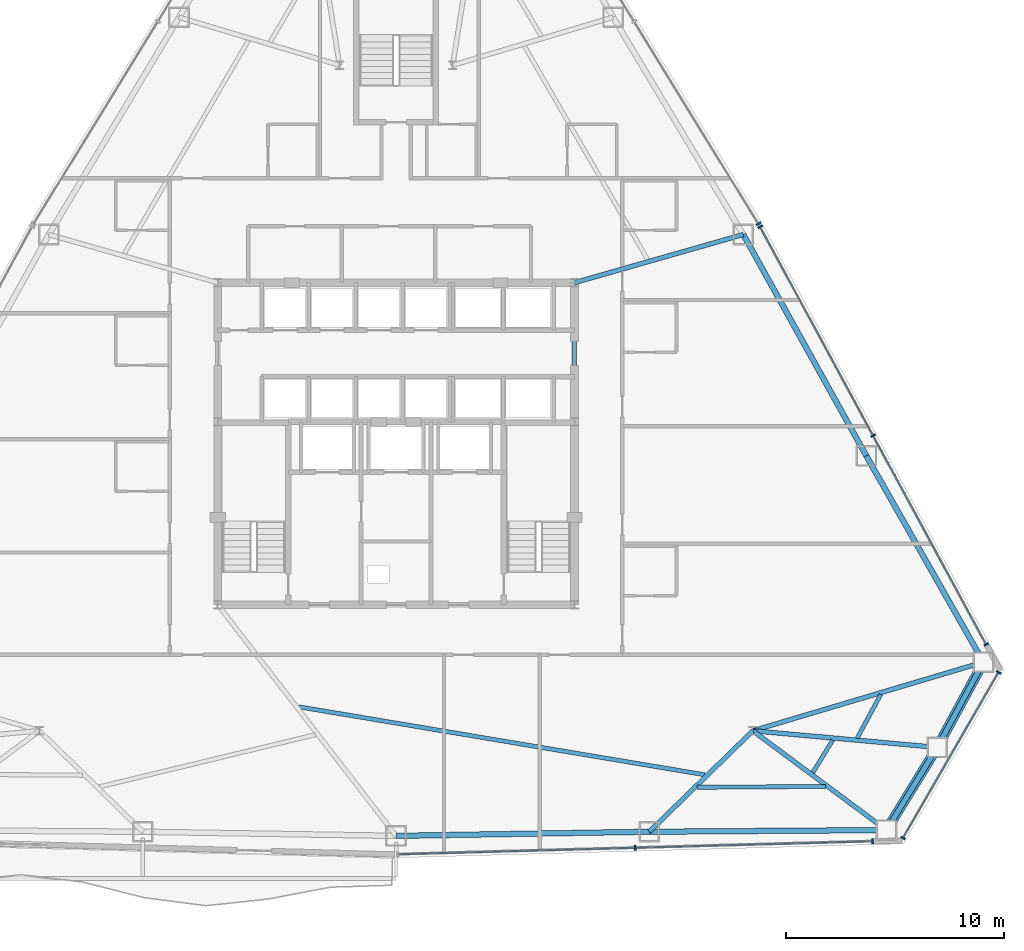
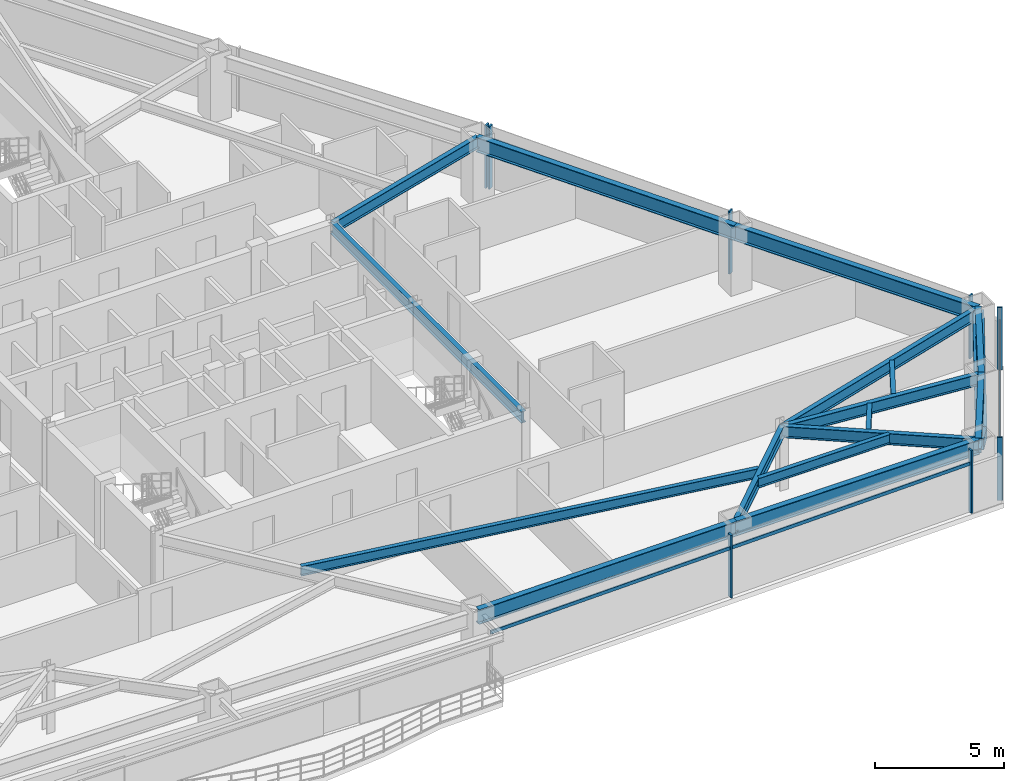
# One storey, part 6 of 13: 16 beams, 13 members, 4 elements without a shape of their own.
"""IFC4 building model written with IfcOpenShell, lengths in metres."""

from ifc_helpers import new_model, si_unit, direction, frame, origin, origin_2d, place, context, subcontext, project, spatial, rectangle, hollow_rectangle, i_section, extrude, source, transform, mapped, material, layer, layer_set, material_profile, profile_set, type_object, type_shapes, element, aggregate, save


model = new_model("IFC4")

# Units and contexts
model_context = context("Model", 3, precision=1e-05, world=origin(), true_north=direction((0.0, 1.0)))
body_context = subcontext(model_context, "Body", "Model", "MODEL_VIEW")
ifc_project = project(units=[si_unit("LENGTHUNIT", "METRE"), si_unit("AREAUNIT", "SQUARE_METRE"), si_unit("VOLUMEUNIT", "CUBIC_METRE"), si_unit("PLANEANGLEUNIT", "RADIAN"), si_unit("MASSUNIT", "GRAM", prefix="KILO")], contexts=[model_context])

# Site, building, storey
site_placement = place(None, origin())
site = spatial("IfcSite", under=ifc_project, at=site_placement, CompositionType="ELEMENT")
building_placement = place(site_placement, origin())
building = spatial("IfcBuilding", under=site, at=building_placement, Name="Varakhsha Concourse Tower", CompositionType="ELEMENT")
storey_placement = place(building_placement, frame((0.0, 0.0, 102.199951171875)))
storey = spatial("IfcBuildingStorey", under=building, at=storey_placement, Name="L29", CompositionType="ELEMENT", Elevation=102.199951171875)

# Beams
ifc_material_1 = material(Name="Structural Steel ASTM A992 Grade 50", Category="steel")
ifc_material_profile_1 = material_profile(ifc_material_1, i_section(OverallWidth=0.19091796875, OverallDepth=0.45703125, WebThickness=0.009033203125, FlangeThickness=0.013916015625, at=origin_2d()), Name="W18X50")
ifc_profile_set_1 = profile_set([ifc_material_profile_1], Name="Structural Steel ASTM A992 Grade 50")
beam_type_1 = type_object("IfcBeamType", Name="BM-JST-W18X50", PredefinedType="JOIST", material=ifc_profile_set_1)
beam_1_placement = place(storey_placement, frame((35.5166015625, 11.7041015625, 2.741455078125), z_axis=(0.986266830469, -0.165159738181, 0.0), x_axis=(0.165159738181, 0.986266830469, 0.0)))
element("IfcBeam", 1, at=beam_1_placement, inside=storey, type_object=beam_type_1, Name="BM-TJST-L29-11", PredefinedType="JOIST", context=body_context, shape_type="SweptSolid", body=[
    extrude(i_section(OverallWidth=0.19091796875, OverallDepth=0.45703125, WebThickness=0.009033203125, FlangeThickness=0.013916015625, at=origin_2d()), origin(), (0.0, 0.0, 1.0), 18.941650390625),
])
beam_2_placement = place(storey_placement, frame((53.845947265625, 8.00146484375, 2.741455078125), z_axis=(0.999975430006, 0.007009948883, 0.0), x_axis=(-0.007009948883, 0.999975430006, 0.0)))
element("IfcBeam", 2, at=beam_2_placement, inside=storey, type_object=beam_type_1, Name="BM-TJST-L29-12", PredefinedType="JOIST", context=body_context, shape_type="SweptSolid", body=[
    extrude(i_section(OverallWidth=0.19091796875, OverallDepth=0.45703125, WebThickness=0.009033203125, FlangeThickness=0.013916015625, at=origin_2d()), origin(), (0.0, 0.0, 1.0), 5.885986328125),
])
beam_3_placement = place(storey_placement, frame((59.161865234375, 8.68505859375, 2.741455078125), z_axis=(0.523041666025, 0.852307113429, 0.0), x_axis=(-0.852307113429, 0.523041666025, 0.0)))
element("IfcBeam", 3, at=beam_3_placement, inside=storey, type_object=beam_type_1, Name="BM-TJST-L29-13", PredefinedType="JOIST", context=body_context, shape_type="SweptSolid", body=[
    extrude(i_section(OverallWidth=0.19091796875, OverallDepth=0.45703125, WebThickness=0.009033203125, FlangeThickness=0.013916015625, at=origin_2d()), origin(), (0.0, 0.0, 1.0), 1.742431640625),
])
beam_4_placement = place(storey_placement, frame((61.20068359375, 10.268798828125, 2.741455078125), z_axis=(0.476469609204, 0.879190941437, 0.0), x_axis=(-0.879190941437, 0.476469609204, 0.0)))
element("IfcBeam", 4, at=beam_4_placement, inside=storey, type_object=beam_type_1, Name="BM-TJST-L29-14", PredefinedType="JOIST", context=body_context, shape_type="SweptSolid", body=[
    extrude(i_section(OverallWidth=0.19091796875, OverallDepth=0.45703125, WebThickness=0.009033203125, FlangeThickness=0.013916015625, at=origin_2d()), origin(), (0.0, 0.0, 1.0), 2.277587890625),
])
ifc_material_profile_2 = material_profile(ifc_material_1, i_section(OverallWidth=0.2109375, OverallDepth=0.5390625, WebThickness=0.011962890625, FlangeThickness=0.01904296875, at=origin_2d()), Name="W21X73")
ifc_profile_set_2 = profile_set([ifc_material_profile_2], Name="Structural Steel ASTM A992 Grade 50")
beam_type_2 = type_object("IfcBeamType", Name="BM-RAD-W21X73", PredefinedType="BEAM", material=ifc_profile_set_2)
beam_5_placement = place(storey_placement, frame((48.199951171875, 16.39990234375, 2.700439453125), z_axis=(0.0, 1.0, 0.0), x_axis=(-1.0, 0.0, 0.0)))
element("IfcBeam", 5, at=beam_5_placement, inside=storey, type_object=beam_type_2, Name="BM-TCORE-L29-CE", PredefinedType="BEAM", context=body_context, shape_type="SweptSolid", body=[
    extrude(i_section(OverallWidth=0.2109375, OverallDepth=0.5390625, WebThickness=0.011962890625, FlangeThickness=0.01904296875, at=origin_2d()), origin(), (0.0, 0.0, 1.0), 14.800048828125),
])
beam_6_placement = place(storey_placement, frame((56.39990234375, 10.60009765625, 2.700439453125), z_axis=(-0.715722386473, -0.698384897819, 0.0), x_axis=(0.698384897819, -0.715722386473, 0.0)))
element("IfcBeam", 6, at=beam_6_placement, inside=storey, type_object=beam_type_2, Name="L29 Radial Floor Girder 12", PredefinedType="BEAM", context=body_context, shape_type="SweptSolid", body=[
    extrude(i_section(OverallWidth=0.2109375, OverallDepth=0.5390625, WebThickness=0.011962890625, FlangeThickness=0.01904296875, at=origin_2d()), origin(), (0.0, 0.0, 1.0), 6.646484375),
])
beam_7_placement = place(storey_placement, frame((56.39990234375, 10.60009765625, 2.700439453125), z_axis=(0.802769579704, -0.596289360883, 0.0), x_axis=(0.596289360883, 0.802769579704, 0.0)))
element("IfcBeam", 7, at=beam_7_placement, inside=storey, type_object=beam_type_2, Name="L29 Radial Floor Girder 13", PredefinedType="BEAM", context=body_context, shape_type="SweptSolid", body=[
    extrude(i_section(OverallWidth=0.2109375, OverallDepth=0.5390625, WebThickness=0.011962890625, FlangeThickness=0.01904296875, at=origin_2d()), origin(), (0.0, 0.0, 1.0), 7.656005859375),
])
beam_8_placement = place(storey_placement, frame((56.39990234375, 10.60009765625, 2.700439453125), z_axis=(0.995965985667, -0.089731574119, 0.0), x_axis=(0.089731574119, 0.995965985667, 0.0)))
element("IfcBeam", 8, at=beam_8_placement, inside=storey, type_object=beam_type_2, Name="L29 Radial Floor Girder 14", PredefinedType="BEAM", context=body_context, shape_type="SweptSolid", body=[
    extrude(i_section(OverallWidth=0.2109375, OverallDepth=0.5390625, WebThickness=0.011962890625, FlangeThickness=0.01904296875, at=origin_2d()), origin(), (0.0, 0.0, 1.0), 8.513427734375),
])
beam_9_placement = place(storey_placement, frame((56.39990234375, 10.60009765625, 2.700439453125), z_axis=(0.958430242981, 0.285326951653, 0.0), x_axis=(-0.285326951653, 0.958430242981, 0.0)))
element("IfcBeam", 9, at=beam_9_placement, inside=storey, type_object=beam_type_2, Name="L29 Radial Floor Girder 15", PredefinedType="BEAM", context=body_context, shape_type="SweptSolid", body=[
    extrude(i_section(OverallWidth=0.2109375, OverallDepth=0.5390625, WebThickness=0.011962890625, FlangeThickness=0.01904296875, at=origin_2d()), origin(), (0.0, 0.0, 1.0), 11.064453125),
])
beam_10_placement = place(storey_placement, frame((48.199951171875, 31.199951171875, 2.700439453125), z_axis=(0.961591259635, 0.27448542656, 0.0), x_axis=(-0.27448542656, 0.961591259635, 0.0)))
element("IfcBeam", 10, at=beam_10_placement, inside=storey, type_object=beam_type_2, Name="L29 Radial Floor Girder 17", PredefinedType="BEAM", context=body_context, shape_type="SweptSolid", body=[
    extrude(i_section(OverallWidth=0.2109375, OverallDepth=0.5390625, WebThickness=0.011962890625, FlangeThickness=0.01904296875, at=origin_2d()), origin(), (0.0, 0.0, 1.0), 8.07177734375),
])
ifc_material_profile_3 = material_profile(ifc_material_1, i_section(OverallWidth=0.25390625, OverallDepth=0.701904296875, WebThickness=0.014892578125, FlangeThickness=0.028076171875, at=origin_2d()), Name="W27X129")
ifc_profile_set_3 = profile_set([ifc_material_profile_3], Name="Structural Steel ASTM A992 Grade 50")
beam_type_3 = type_object("IfcBeamType", Name="BM-SPAN-W27X129", PredefinedType="SPANDREL", material=ifc_profile_set_3)
beam_11_placement = place(storey_placement, frame((40.0, 5.76904296875, 2.619140625), z_axis=(0.999867976584, 0.016248981565, 0.0), x_axis=(-0.016248981565, 0.999867976584, 0.0)))
element("IfcBeam", 11, at=beam_11_placement, inside=storey, type_object=beam_type_3, Name="BM-SPAN-L29-11", PredefinedType="SPANDREL", context=body_context, shape_type="SweptSolid", body=[
    extrude(i_section(OverallWidth=0.25390625, OverallDepth=0.701904296875, WebThickness=0.014892578125, FlangeThickness=0.028076171875, at=origin_2d()), origin(), (0.0, 0.0, 1.0), 11.644287109375),
])
beam_12_placement = place(storey_placement, frame((51.642822265625, 5.958251953125, 2.619140625), z_axis=(0.999975283031, 0.007030883783, 0.0), x_axis=(-0.007030883783, 0.999975283031, 0.0)))
element("IfcBeam", 12, at=beam_12_placement, inside=storey, type_object=beam_type_3, Name="BM-SPAN-L29-12", PredefinedType="SPANDREL", context=body_context, shape_type="SweptSolid", body=[
    extrude(i_section(OverallWidth=0.25390625, OverallDepth=0.701904296875, WebThickness=0.014892578125, FlangeThickness=0.028076171875, at=origin_2d()), origin(), (0.0, 0.0, 1.0), 10.9033203125),
])
beam_13_placement = place(storey_placement, frame((62.5458984375, 6.034912109375, 2.619140625), z_axis=(0.523083096004, 0.852281687399, 0.0), x_axis=(-0.852281687399, 0.523083096004, 0.0)))
element("IfcBeam", 13, at=beam_13_placement, inside=storey, type_object=beam_type_3, Name="BM-SPAN-L29-13", PredefinedType="SPANDREL", context=body_context, shape_type="SweptSolid", body=[
    extrude(i_section(OverallWidth=0.25390625, OverallDepth=0.701904296875, WebThickness=0.014892578125, FlangeThickness=0.028076171875, at=origin_2d()), origin(), (0.0, 0.0, 1.0), 4.460205078125),
])
beam_14_placement = place(storey_placement, frame((64.87890625, 9.836181640625, 2.619140625), z_axis=(0.476572329896, 0.87913526512, 0.0), x_axis=(-0.87913526512, 0.476572329896, 0.0)))
element("IfcBeam", 14, at=beam_14_placement, inside=storey, type_object=beam_type_3, Name="BM-SPAN-L29-14", PredefinedType="SPANDREL", context=body_context, shape_type="SweptSolid", body=[
    extrude(i_section(OverallWidth=0.25390625, OverallDepth=0.701904296875, WebThickness=0.014892578125, FlangeThickness=0.028076171875, at=origin_2d()), origin(), (0.0, 0.0, 1.0), 4.4599609375),
])
beam_15_placement = place(storey_placement, frame((67.00439453125, 13.757080078125, 2.619140625), z_axis=(-0.49387783637, 0.869531300611, 0.0), x_axis=(-0.869531300611, -0.49387783637, 0.0)))
element("IfcBeam", 15, at=beam_15_placement, inside=storey, type_object=beam_type_3, Name="BM-SPAN-L29-15", PredefinedType="SPANDREL", context=body_context, shape_type="SweptSolid", body=[
    extrude(i_section(OverallWidth=0.25390625, OverallDepth=0.701904296875, WebThickness=0.014892578125, FlangeThickness=0.028076171875, at=origin_2d()), origin(), (0.0, 0.0, 1.0), 10.903564453125),
])
beam_16_placement = place(storey_placement, frame((61.619384765625, 23.238037109375, 2.619140625), z_axis=(-0.485876116014, 0.874027688284, 0.0), x_axis=(-0.874027688284, -0.485876116014, 0.0)))
element("IfcBeam", 16, at=beam_16_placement, inside=storey, type_object=beam_type_3, Name="BM-SPAN-L29-16", PredefinedType="SPANDREL", context=body_context, shape_type="SweptSolid", body=[
    extrude(i_section(OverallWidth=0.25390625, OverallDepth=0.701904296875, WebThickness=0.014892578125, FlangeThickness=0.028076171875, at=origin_2d()), origin(), (0.0, 0.0, 1.0), 11.644287109375),
])

# Members
ifc_material_2 = material(Name="Structural Steel ASTM A500 Grade C", Category="steel")
ifc_material_profile_4 = material_profile(ifc_material_2, hollow_rectangle(XDim=0.449951171875, YDim=0.449951171875, WallThickness=0.01904296875, at=origin_2d()), Name="HSS 450x450x19")
ifc_profile_set_4 = profile_set([ifc_material_profile_4], Name="Structural Steel ASTM A500 Grade C")
member_type_1 = type_object("IfcMemberType", Name="MB-TUBE-HSS450", PredefinedType="BRACE", material=ifc_profile_set_4)
shared_shape_1 = source(origin(), body_context, "Body", "SweptSolid", [
    extrude(hollow_rectangle(XDim=0.449951171875, YDim=0.449951171875, WallThickness=0.01904296875, at=origin_2d()), origin(), (0.0, 0.0, 1.0), 5.1376953125),
])
member_1_placement = place(storey_placement, frame((64.87890625, 9.836181640625, 0.1201171875), z_axis=(-0.454101242407, -0.739886599443, 0.496346533794), x_axis=(0.852281687399, -0.523083096004, 0.0)))
element("IfcMember", 17, at=member_1_placement, inside=storey, type_object=member_type_1, Name="L29 Wind-Corner Tube Brace B05", PredefinedType="BRACE", context=body_context, shape_type="MappedRepresentation", body=[
    mapped(shared_shape_1, transform((0.0, 0.0, 0.0), scale=1.0)),
])
shared_shape_2 = source(origin(), body_context, "Body", "SweptSolid", [
    extrude(hollow_rectangle(XDim=0.449951171875, YDim=0.449951171875, WallThickness=0.01904296875, at=origin_2d()), origin(), (0.0, 0.0, 1.0), 5.137451171875),
])
type_shapes(member_type_1, [shared_shape_1, shared_shape_2])
member_2_placement = place(storey_placement, frame((64.87890625, 9.836181640625, 0.1201171875), z_axis=(0.413720442593, 0.763192086841, 0.49635998425), x_axis=(-0.87913526512, 0.476572329896, 0.0)))
element("IfcMember", 18, at=member_2_placement, inside=storey, type_object=member_type_1, Name="L29 Wind-Corner Tube Brace B06", PredefinedType="BRACE", context=body_context, shape_type="MappedRepresentation", body=[
    mapped(shared_shape_2, transform((0.0, 0.0, 0.0), scale=1.0)),
])

# Curtain wall, members
ifc_material_3 = material(Name="Anodised Bronze Architectural Aluminium AA 6063-T6", Category="aluminium")
ifc_layer = layer(ifc_material_3, 0.199951171875, Name="CW-SYS-03")
ifc_layer_set = layer_set([ifc_layer], Name="Anodised Bronze Architectural Aluminium AA 6063-T6")
curtain_wall_type = type_object("IfcCurtainWallType", Name="CW-SYS-03", PredefinedType="NOTDEFINED", material=ifc_layer_set)
curtain_wall_1_placement = place(storey_placement, origin())
curtain_wall_1 = element("IfcCurtainWall", 19, at=curtain_wall_1_placement, inside=storey, type_object=curtain_wall_type, Name="L29 Crystal Curtain Wall F6", PredefinedType="NOTDEFINED")
ifc_material_profile_5 = material_profile(ifc_material_3, rectangle(XDim=0.074951171875, YDim=0.219970703125, at=origin_2d()), Name="CWM-220X75")
ifc_profile_set_5 = profile_set([ifc_material_profile_5], Name="Anodised Bronze Architectural Aluminium AA 6063-T6")
member_type_2 = type_object("IfcMemberType", Name="CWM-220X75", PredefinedType="MULLION", material=ifc_profile_set_5)
shared_shape_3 = source(origin(), body_context, "Body", "SweptSolid", [
    extrude(rectangle(XDim=0.074951171875, YDim=0.219970703125, at=origin_2d()), origin(), (0.0, 0.0, 1.0), 2.969970703125),
])
type_shapes(member_type_2, [shared_shape_3])
member_3_placement = place(storey_placement, frame((61.91015625, 5.520751953125, 0.0), z_axis=(0.0, 0.0, 1.0), x_axis=(-0.99962052214, -0.02754653728, 0.0)))
member_3 = element("IfcMember", 20, at=member_3_placement, type_object=member_type_2, Name="CW-L29-F6 Mullion 00", PredefinedType="MULLION", context=body_context, shape_type="MappedRepresentation", body=[
    mapped(shared_shape_3, transform((0.0, 0.0, 0.0), scale=1.0)),
])
member_4_placement = place(storey_placement, frame((50.992919921875, 5.219970703125, 0.0), z_axis=(0.0, 0.0, 1.0), x_axis=(-0.99962052214, -0.02754653728, 0.0)))
member_4 = element("IfcMember", 21, at=member_4_placement, type_object=member_type_2, Name="CW-L29-F6 Mullion 01", PredefinedType="MULLION", context=body_context, shape_type="MappedRepresentation", body=[
    mapped(shared_shape_3, transform((0.0, 0.0, 0.0), scale=1.0)),
])

curtain_wall_2_placement = place(storey_placement, origin())
curtain_wall_2 = element("IfcCurtainWall", 22, at=curtain_wall_2_placement, inside=storey, type_object=curtain_wall_type, Name="L29 Chamfer Curtain Wall F7", PredefinedType="NOTDEFINED")
member_5_placement = place(storey_placement, frame((67.69970703125, 13.28173828125, 0.0), z_axis=(0.0, 0.0, 1.0), x_axis=(-0.499996976998, -0.866027149108, 0.0)))
member_5 = element("IfcMember", 23, at=member_5_placement, type_object=member_type_2, Name="CW-L29-F7 Mullion 00", PredefinedType="MULLION", context=body_context, shape_type="MappedRepresentation", body=[
    mapped(shared_shape_3, transform((0.0, 0.0, 0.0), scale=1.0)),
])
member_6_placement = place(storey_placement, frame((63.305419921875, 5.67041015625, 0.0), z_axis=(0.0, 0.0, 1.0), x_axis=(-0.499996976998, -0.866027149108, 0.0)))
member_6 = element("IfcMember", 24, at=member_6_placement, type_object=member_type_2, Name="CW-L29-F7 Mullion 01", PredefinedType="MULLION", context=body_context, shape_type="MappedRepresentation", body=[
    mapped(shared_shape_3, transform((0.0, 0.0, 0.0), scale=1.0)),
])

curtain_wall_3_placement = place(storey_placement, origin())
curtain_wall_3 = element("IfcCurtainWall", 25, at=curtain_wall_3_placement, inside=storey, type_object=curtain_wall_type, Name="L29 Crystal Curtain Wall F8", PredefinedType="NOTDEFINED")
member_7_placement = place(storey_placement, frame((56.735595703125, 33.77490234375, 0.0), z_axis=(0.0, 0.0, 1.0), x_axis=(0.475958864887, -0.879467542855, 0.0)))
member_7 = element("IfcMember", 26, at=member_7_placement, type_object=member_type_2, Name="CW-L29-F8 Mullion 00", PredefinedType="MULLION", context=body_context, shape_type="MappedRepresentation", body=[
    mapped(shared_shape_3, transform((0.0, 0.0, 0.0), scale=1.0)),
])
member_8_placement = place(storey_placement, frame((61.93359375, 24.169921875, 0.0), z_axis=(0.0, 0.0, 1.0), x_axis=(0.475958864887, -0.879467542855, 0.0)))
member_8 = element("IfcMember", 27, at=member_8_placement, type_object=member_type_2, Name="CW-L29-F8 Mullion 01", PredefinedType="MULLION", context=body_context, shape_type="MappedRepresentation", body=[
    mapped(shared_shape_3, transform((0.0, 0.0, 0.0), scale=1.0)),
])
member_9_placement = place(storey_placement, frame((67.1318359375, 14.56494140625, 0.0), z_axis=(0.0, 0.0, 1.0), x_axis=(0.475958864887, -0.879467542855, 0.0)))
member_9 = element("IfcMember", 28, at=member_9_placement, type_object=member_type_2, Name="CW-L29-F8 Mullion 02", PredefinedType="MULLION", context=body_context, shape_type="MappedRepresentation", body=[
    mapped(shared_shape_3, transform((0.0, 0.0, 0.0), scale=1.0)),
])

# Curtain wall, member
curtain_wall_4_placement = place(storey_placement, origin())
curtain_wall_4 = element("IfcCurtainWall", 29, at=curtain_wall_4_placement, inside=storey, type_object=curtain_wall_type, Name="L29 Crystal Curtain Wall F9", PredefinedType="NOTDEFINED")
member_10_placement = place(storey_placement, frame((56.659912109375, 33.906005859375, 0.0), z_axis=(0.0, 0.0, 1.0), x_axis=(0.523664775253, -0.851924411646, 0.0)))
member_10 = element("IfcMember", 30, at=member_10_placement, type_object=member_type_2, Name="CW-L29-F9 Mullion 02", PredefinedType="MULLION", context=body_context, shape_type="MappedRepresentation", body=[
    mapped(shared_shape_3, transform((0.0, 0.0, 0.0), scale=1.0)),
])
aggregate(curtain_wall_4, [member_10])

# Member
ifc_material_profile_6 = material_profile(ifc_material_3, rectangle(XDim=0.06494140625, YDim=0.159912109375, at=origin_2d()), Name="CWT-160X65")
ifc_profile_set_6 = profile_set([ifc_material_profile_6], Name="Anodised Bronze Architectural Aluminium AA 6063-T6")
member_type_3 = type_object("IfcMemberType", Name="CWT-160X65", PredefinedType="USERDEFINED", material=ifc_profile_set_6)
shared_shape_4 = source(origin(), body_context, "Body", "SweptSolid", [
    extrude(rectangle(XDim=0.06494140625, YDim=0.159912109375, at=origin_2d()), origin(), (0.0, 0.0, 1.0), 21.8427734375),
])
member_11_placement = place(storey_placement, frame((61.91015625, 5.520751953125, 2.320068359375), z_axis=(-0.999620685936, -0.027540592729, 0.0), x_axis=(0.027540592729, -0.999620685936, 0.0)))
member_11 = element("IfcMember", 31, at=member_11_placement, type_object=member_type_3, Name="CW-L29-F6 Transom 01", ObjectType="TRANSOM", PredefinedType="USERDEFINED", context=body_context, shape_type="MappedRepresentation", body=[
    mapped(shared_shape_4, transform((0.0, 0.0, 0.0), scale=1.0)),
])

aggregate(curtain_wall_1, [member_3, member_4, member_11])

member_12_placement = place(storey_placement, frame((56.735595703125, 33.77490234375, 2.320068359375), z_axis=(0.475959052174, -0.879467441497, 0.0), x_axis=(0.879467441497, 0.475959052174, 0.0)))
member_12 = element("IfcMember", 32, at=member_12_placement, type_object=member_type_3, Name="CW-L29-F8 Transom 01", ObjectType="TRANSOM", PredefinedType="USERDEFINED", context=body_context, shape_type="MappedRepresentation", body=[
    mapped(shared_shape_4, transform((0.0, 0.0, 0.0), scale=1.0)),
])

aggregate(curtain_wall_3, [member_7, member_8, member_9, member_12])

shared_shape_5 = source(origin(), body_context, "Body", "SweptSolid", [
    extrude(rectangle(XDim=0.06494140625, YDim=0.159912109375, at=origin_2d()), origin(), (0.0, 0.0, 1.0), 8.788818359375),
])
type_shapes(member_type_3, [shared_shape_4, shared_shape_5])
member_13_placement = place(storey_placement, frame((67.69970703125, 13.28173828125, 2.320068359375), z_axis=(-0.499990166443, -0.866031081117, 0.0), x_axis=(0.866031081117, -0.499990166443, 0.0)))
member_13 = element("IfcMember", 33, at=member_13_placement, type_object=member_type_3, Name="CW-L29-F7 Transom 01", ObjectType="TRANSOM", PredefinedType="USERDEFINED", context=body_context, shape_type="MappedRepresentation", body=[
    mapped(shared_shape_5, transform((0.0, 0.0, 0.0), scale=1.0)),
])

aggregate(curtain_wall_2, [member_5, member_6, member_13])

save(model, "model.ifc")
